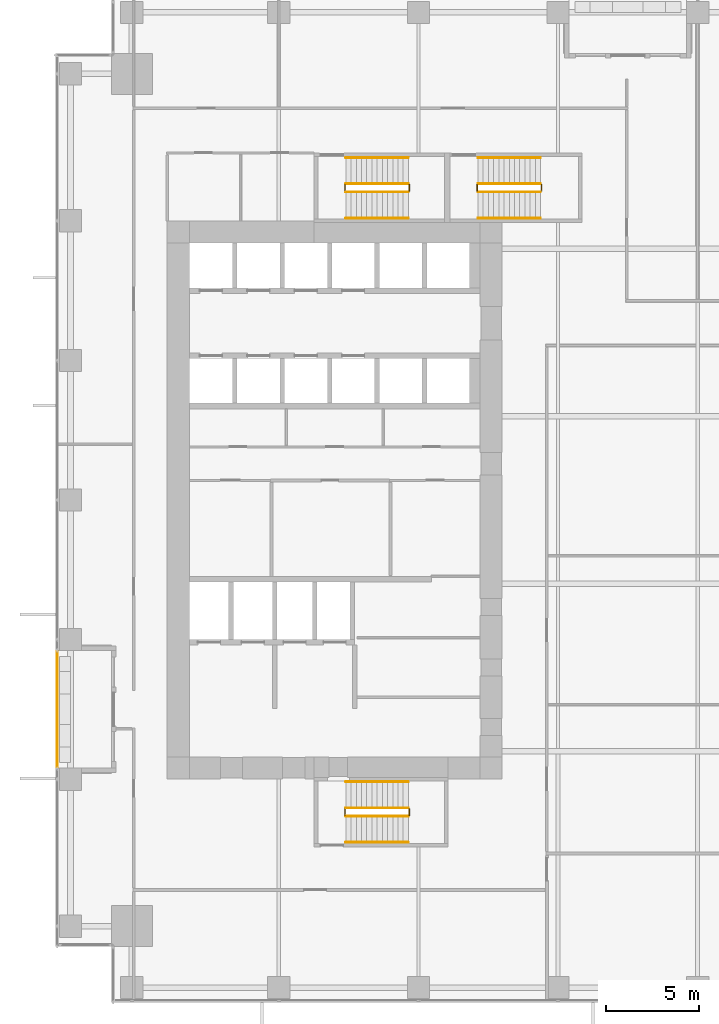
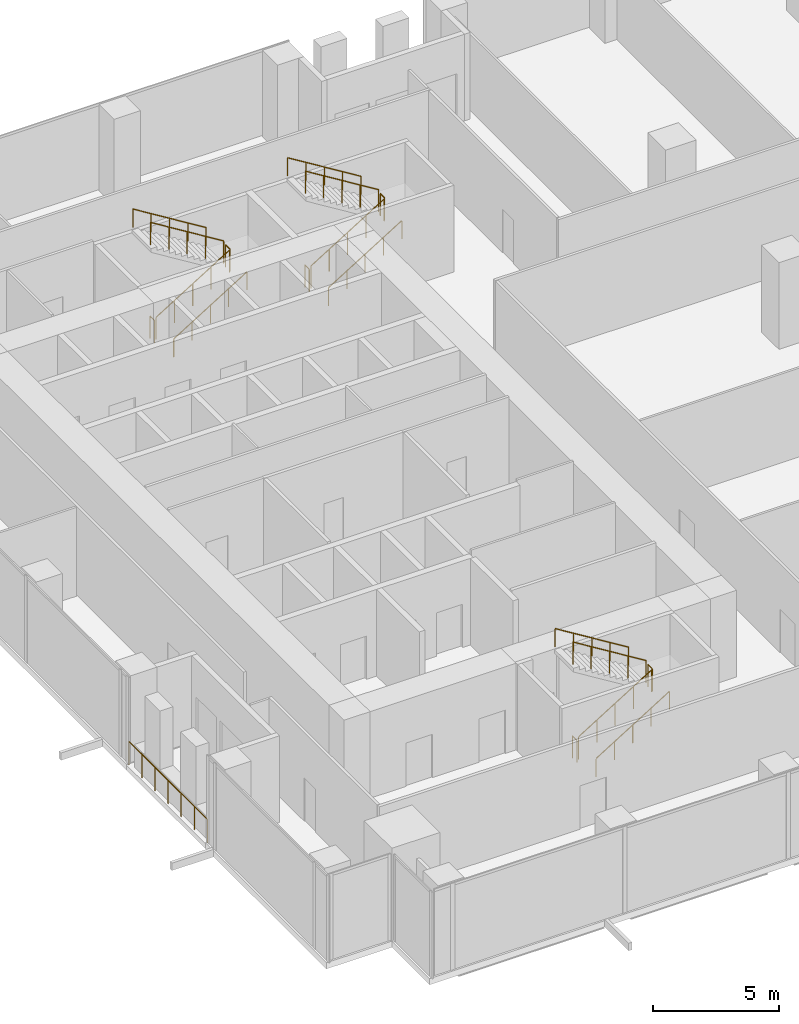
# One storey, part 31 of 33: 19 railings.
"""IFC4 building model written with IfcOpenShell, lengths in metres."""

from ifc_helpers import new_model, si_unit, direction, frame, origin, origin_2d, place, context, subcontext, project, spatial, circle, extrude, source, transform, mapped, material, type_object, element, save


model = new_model("IFC4")

# Units and contexts
model_context = context("Model", 3, precision=1e-05, world=origin(), true_north=direction((0.0, 1.0)))
body_context = subcontext(model_context, "Body", "Model", "MODEL_VIEW")
ifc_project = project(units=[si_unit("LENGTHUNIT", "METRE"), si_unit("AREAUNIT", "SQUARE_METRE"), si_unit("VOLUMEUNIT", "CUBIC_METRE"), si_unit("PLANEANGLEUNIT", "RADIAN"), si_unit("MASSUNIT", "GRAM", prefix="KILO")], contexts=[model_context])

# Site, building, storey
site_placement = place(None, origin())
site = spatial("IfcSite", under=ifc_project, at=site_placement, CompositionType="ELEMENT")
building_placement = place(site_placement, origin())
building = spatial("IfcBuilding", under=site, at=building_placement, Name="Khomas Fold Tower", CompositionType="ELEMENT")
storey_placement = place(building_placement, frame((0.0, 0.0, 55.5)))
storey = spatial("IfcBuildingStorey", under=building, at=storey_placement, Name="L11", CompositionType="ELEMENT", Elevation=55.5)

# Railings
ifc_material_1 = material(Name="Powder-coated steel", Category="steel")
railing_type_1 = type_object("IfcRailingType", Name="Balcony guard", PredefinedType="GUARDRAIL", material=ifc_material_1)
shared_shape_1 = source(origin(), body_context, "Body", "SweptSolid", [
    extrude(circle(Radius=0.02490234375, at=origin_2d()), frame((0.0, 0.0, 1.125), z_axis=(0.0, 1.0, 0.0), x_axis=(-1.0, 0.0, 0.0)), (0.0, 0.0, 1.0), 6.240234375),
    extrude(circle(Radius=0.02001953125, at=origin_2d()), origin(), (0.0, 0.0, 1.0), 1.099853515625),
    extrude(circle(Radius=0.02001953125, at=origin_2d()), frame((0.0, 1.0400390625, 0.0)), (0.0, 0.0, 1.0), 1.099853515625),
    extrude(circle(Radius=0.02001953125, at=origin_2d()), frame((0.0, 2.080078125, 0.0)), (0.0, 0.0, 1.0), 1.099853515625),
    extrude(circle(Radius=0.02001953125, at=origin_2d()), frame((0.0, 3.1201171875, 0.0)), (0.0, 0.0, 1.0), 1.099853515625),
    extrude(circle(Radius=0.02001953125, at=origin_2d()), frame((0.0, 4.16015625, 0.0)), (0.0, 0.0, 1.0), 1.099853515625),
    extrude(circle(Radius=0.02001953125, at=origin_2d()), frame((0.0, 5.2001953125, 0.0)), (0.0, 0.0, 1.0), 1.099853515625),
    extrude(circle(Radius=0.02001953125, at=origin_2d()), frame((0.0, 6.240234375, 0.0)), (0.0, 0.0, 1.0), 1.099853515625),
])
railing_1_placement = place(storey_placement, frame((0.10009765625, 12.6298828125, -0.044921875)))
element("IfcRailing", 1, at=railing_1_placement, inside=storey, type_object=railing_type_1, Name="Balcony guard BAL-L11-W1", PredefinedType="GUARDRAIL", context=body_context, shape_type="MappedRepresentation", body=[
    mapped(shared_shape_1, transform((0.0, 0.0, 0.0))),
])
ifc_material_2 = material(Name="Steel balustrade", Category="steel")
railing_type_2 = type_object("IfcRailingType", Name="Stair guard", PredefinedType="GUARDRAIL", material=ifc_material_2)
shared_shape_2 = source(origin(), body_context, "Body", "SweptSolid", [
    extrude(circle(Radius=0.02392578125, at=origin_2d()), frame((0.0, 0.0, 1.076171875), z_axis=(0.850606129759, 0.0, 0.525803396734), x_axis=(0.0, 1.0, 0.0)), (0.0, 0.0, 1.0), 3.949951171875),
    extrude(circle(Radius=0.02099609375, at=origin_2d()), origin(), (0.0, 0.0, 1.0), 1.052001953125),
    extrude(circle(Radius=0.02099609375, at=origin_2d()), frame((0.83984375, 0.0, 0.519287109375)), (0.0, 0.0, 1.0), 1.052001953125),
    extrude(circle(Radius=0.02099609375, at=origin_2d()), frame((1.679931640625, 0.0, 1.03857421875)), (0.0, 0.0, 1.0), 1.052001953125),
    extrude(circle(Radius=0.02099609375, at=origin_2d()), frame((2.52001953125, 0.0, 1.5576171875)), (0.0, 0.0, 1.0), 1.052001953125),
    extrude(circle(Radius=0.02099609375, at=origin_2d()), frame((3.35986328125, 0.0, 2.076904296875)), (0.0, 0.0, 1.0), 1.052001953125),
])
for number, where, name in (
    (2, (15.60009765625, 43.550048828125, 0.173095703125), "L11 ST1 stair guard 1"),
    (3, (15.60009765625, 10.0, 0.173095703125), "L11 ST2 stair guard 1"),
):
    element("IfcRailing", number, at=place(storey_placement, frame(where)), inside=storey, type_object=railing_type_2, Name=name, PredefinedType="GUARDRAIL", context=body_context, shape_type="MappedRepresentation", body=[
        mapped(shared_shape_2, transform((0.0, 0.0, 0.0))),
    ])
shared_shape_3 = source(origin(), body_context, "Body", "SweptSolid", [
    extrude(circle(Radius=0.02392578125, at=origin_2d()), frame((0.0, 0.0, 1.076171875), z_axis=(0.0, 1.0, 0.0), x_axis=(-1.0, 0.0, 0.0)), (0.0, 0.0, 1.0), 0.349853515625),
    extrude(circle(Radius=0.02099609375, at=origin_2d()), origin(), (0.0, 0.0, 1.0), 1.052001953125),
    extrude(circle(Radius=0.02099609375, at=origin_2d()), frame((0.0, 0.349853515625, 0.0)), (0.0, 0.0, 1.0), 1.052001953125),
])
for number, where, name in (
    (4, (19.010009765625, 43.60009765625, 2.25), "L11 ST1 stair guard 2"),
    (5, (15.550048828125, 43.60009765625, 0.0), "L11 ST1 stair guard 4"),
    (6, (19.010009765625, 10.050048828125, 2.25), "L11 ST2 stair guard 2"),
    (7, (15.550048828125, 10.050048828125, 0.0), "L11 ST2 stair guard 4"),
    (8, (26.110107421875, 43.60009765625, 2.25), "L11 ST3 stair guard 2"),
    (9, (22.64990234375, 43.60009765625, 0.0), "L11 ST3 stair guard 4"),
):
    element("IfcRailing", number, at=place(storey_placement, frame(where)), inside=storey, type_object=railing_type_2, Name=name, PredefinedType="GUARDRAIL", context=body_context, shape_type="MappedRepresentation", body=[
        mapped(shared_shape_3, transform((0.0, 0.0, 0.0))),
    ])
shared_shape_4 = source(origin(), body_context, "Body", "SweptSolid", [
    extrude(circle(Radius=0.02392578125, at=origin_2d()), frame((0.0, 0.0, 1.076171875), z_axis=(-0.850606129759, 0.0, 0.525803396734), x_axis=(0.0, -1.0, 0.0)), (0.0, 0.0, 1.0), 3.949951171875),
    extrude(circle(Radius=0.02099609375, at=origin_2d()), origin(), (0.0, 0.0, 1.0), 1.052001953125),
    extrude(circle(Radius=0.02099609375, at=origin_2d()), frame((-0.83984375, 0.0, 0.519287109375)), (0.0, 0.0, 1.0), 1.052001953125),
    extrude(circle(Radius=0.02099609375, at=origin_2d()), frame((-1.679931640625, 0.0, 1.03857421875)), (0.0, 0.0, 1.0), 1.052001953125),
    extrude(circle(Radius=0.02099609375, at=origin_2d()), frame((-2.52001953125, 0.0, 1.5576171875)), (0.0, 0.0, 1.0), 1.052001953125),
    extrude(circle(Radius=0.02099609375, at=origin_2d()), frame((-3.35986328125, 0.0, 2.076904296875)), (0.0, 0.0, 1.0), 1.052001953125),
])
for number, where, name in (
    (10, (18.9599609375, 44.0, 2.423095703125), "L11 ST1 stair guard 3"),
    (11, (18.9599609375, 10.449951171875, 2.423095703125), "L11 ST2 stair guard 3"),
):
    element("IfcRailing", number, at=place(storey_placement, frame(where)), inside=storey, type_object=railing_type_2, Name=name, PredefinedType="GUARDRAIL", context=body_context, shape_type="MappedRepresentation", body=[
        mapped(shared_shape_4, transform((0.0, 0.0, 0.0))),
    ])
ifc_material_3 = material(Name="Steel handrail", Category="steel")
railing_type_3 = type_object("IfcRailingType", Name="Stair handrail", PredefinedType="HANDRAIL", material=ifc_material_3)
shared_shape_5 = source(origin(), body_context, "Body", "SweptSolid", [
    extrude(circle(Radius=0.02392578125, at=origin_2d()), frame((0.0, 0.0, 0.8759765625), z_axis=(0.850606129759, 0.0, 0.525803396734), x_axis=(0.0, 1.0, 0.0)), (0.0, 0.0, 1.0), 3.949951171875),
    extrude(circle(Radius=0.02099609375, at=origin_2d()), origin(), (0.0, 0.0, 1.0), 0.851806640625),
    extrude(circle(Radius=0.02099609375, at=origin_2d()), frame((0.83984375, 0.0, 0.519287109375)), (0.0, 0.0, 1.0), 0.851806640625),
    extrude(circle(Radius=0.02099609375, at=origin_2d()), frame((1.679931640625, 0.0, 1.03857421875)), (0.0, 0.0, 1.0), 0.851806640625),
    extrude(circle(Radius=0.02099609375, at=origin_2d()), frame((2.52001953125, 0.0, 1.5576171875)), (0.0, 0.0, 1.0), 0.851806640625),
    extrude(circle(Radius=0.02099609375, at=origin_2d()), frame((3.35986328125, 0.0, 2.076904296875)), (0.0, 0.0, 1.0), 0.851806640625),
])
for number, where, name in (
    (12, (15.60009765625, 42.14990234375, 0.173095703125), "L11 ST1 stair handrail 1"),
    (13, (15.60009765625, 8.60009765625, 0.173095703125), "L11 ST2 stair handrail 1"),
):
    element("IfcRailing", number, at=place(storey_placement, frame(where)), inside=storey, type_object=railing_type_3, Name=name, PredefinedType="HANDRAIL", context=body_context, shape_type="MappedRepresentation", body=[
        mapped(shared_shape_5, transform((0.0, 0.0, 0.0))),
    ])
shared_shape_6 = source(origin(), body_context, "Body", "SweptSolid", [
    extrude(circle(Radius=0.02392578125, at=origin_2d()), frame((0.0, 0.0, 0.8759765625), z_axis=(-0.850606129759, 0.0, 0.525803396734), x_axis=(0.0, -1.0, 0.0)), (0.0, 0.0, 1.0), 3.949951171875),
    extrude(circle(Radius=0.02099609375, at=origin_2d()), origin(), (0.0, 0.0, 1.0), 0.851806640625),
    extrude(circle(Radius=0.02099609375, at=origin_2d()), frame((-0.83984375, 0.0, 0.519287109375)), (0.0, 0.0, 1.0), 0.851806640625),
    extrude(circle(Radius=0.02099609375, at=origin_2d()), frame((-1.679931640625, 0.0, 1.03857421875)), (0.0, 0.0, 1.0), 0.851806640625),
    extrude(circle(Radius=0.02099609375, at=origin_2d()), frame((-2.52001953125, 0.0, 1.5576171875)), (0.0, 0.0, 1.0), 0.851806640625),
    extrude(circle(Radius=0.02099609375, at=origin_2d()), frame((-3.35986328125, 0.0, 2.076904296875)), (0.0, 0.0, 1.0), 0.851806640625),
])
for number, where, name in (
    (14, (18.9599609375, 45.39990234375, 2.423095703125), "L11 ST1 stair handrail 2"),
    (15, (18.9599609375, 11.85009765625, 2.423095703125), "L11 ST2 stair handrail 2"),
):
    element("IfcRailing", number, at=place(storey_placement, frame(where)), inside=storey, type_object=railing_type_3, Name=name, PredefinedType="HANDRAIL", context=body_context, shape_type="MappedRepresentation", body=[
        mapped(shared_shape_6, transform((0.0, 0.0, 0.0))),
    ])
shared_shape_7 = source(origin(), body_context, "Body", "SweptSolid", [
    extrude(circle(Radius=0.02392578125, at=origin_2d()), frame((0.0, 0.0, 1.076171875), z_axis=(0.850623216509, 0.0, 0.525775754039), x_axis=(0.0, 1.0, 0.0)), (0.0, 0.0, 1.0), 3.9501953125),
    extrude(circle(Radius=0.02099609375, at=origin_2d()), origin(), (0.0, 0.0, 1.0), 1.052001953125),
    extrude(circle(Radius=0.02099609375, at=origin_2d()), frame((0.840087890625, 0.0, 0.519287109375)), (0.0, 0.0, 1.0), 1.052001953125),
    extrude(circle(Radius=0.02099609375, at=origin_2d()), frame((1.68017578125, 0.0, 1.03857421875)), (0.0, 0.0, 1.0), 1.052001953125),
    extrude(circle(Radius=0.02099609375, at=origin_2d()), frame((2.52001953125, 0.0, 1.5576171875)), (0.0, 0.0, 1.0), 1.052001953125),
    extrude(circle(Radius=0.02099609375, at=origin_2d()), frame((3.360107421875, 0.0, 2.076904296875)), (0.0, 0.0, 1.0), 1.052001953125),
])
railing_2_placement = place(storey_placement, frame((22.699951171875, 43.550048828125, 0.173095703125)))
element("IfcRailing", 16, at=railing_2_placement, inside=storey, type_object=railing_type_2, Name="L11 ST3 stair guard 1", PredefinedType="GUARDRAIL", context=body_context, shape_type="MappedRepresentation", body=[
    mapped(shared_shape_7, transform((0.0, 0.0, 0.0))),
])
shared_shape_8 = source(origin(), body_context, "Body", "SweptSolid", [
    extrude(circle(Radius=0.02392578125, at=origin_2d()), frame((0.0, 0.0, 1.076171875), z_axis=(-0.850623216509, 0.0, 0.525775754039), x_axis=(0.0, -1.0, 0.0)), (0.0, 0.0, 1.0), 3.9501953125),
    extrude(circle(Radius=0.02099609375, at=origin_2d()), origin(), (0.0, 0.0, 1.0), 1.052001953125),
    extrude(circle(Radius=0.02099609375, at=origin_2d()), frame((-0.840087890625, 0.0, 0.519287109375)), (0.0, 0.0, 1.0), 1.052001953125),
    extrude(circle(Radius=0.02099609375, at=origin_2d()), frame((-1.68017578125, 0.0, 1.03857421875)), (0.0, 0.0, 1.0), 1.052001953125),
    extrude(circle(Radius=0.02099609375, at=origin_2d()), frame((-2.52001953125, 0.0, 1.5576171875)), (0.0, 0.0, 1.0), 1.052001953125),
    extrude(circle(Radius=0.02099609375, at=origin_2d()), frame((-3.360107421875, 0.0, 2.076904296875)), (0.0, 0.0, 1.0), 1.052001953125),
])
railing_3_placement = place(storey_placement, frame((26.06005859375, 44.0, 2.423095703125)))
element("IfcRailing", 17, at=railing_3_placement, inside=storey, type_object=railing_type_2, Name="L11 ST3 stair guard 3", PredefinedType="GUARDRAIL", context=body_context, shape_type="MappedRepresentation", body=[
    mapped(shared_shape_8, transform((0.0, 0.0, 0.0))),
])
shared_shape_9 = source(origin(), body_context, "Body", "SweptSolid", [
    extrude(circle(Radius=0.02392578125, at=origin_2d()), frame((0.0, 0.0, 0.8759765625), z_axis=(0.850623216509, 0.0, 0.525775754039), x_axis=(0.0, 1.0, 0.0)), (0.0, 0.0, 1.0), 3.9501953125),
    extrude(circle(Radius=0.02099609375, at=origin_2d()), origin(), (0.0, 0.0, 1.0), 0.851806640625),
    extrude(circle(Radius=0.02099609375, at=origin_2d()), frame((0.840087890625, 0.0, 0.519287109375)), (0.0, 0.0, 1.0), 0.851806640625),
    extrude(circle(Radius=0.02099609375, at=origin_2d()), frame((1.68017578125, 0.0, 1.03857421875)), (0.0, 0.0, 1.0), 0.851806640625),
    extrude(circle(Radius=0.02099609375, at=origin_2d()), frame((2.52001953125, 0.0, 1.5576171875)), (0.0, 0.0, 1.0), 0.851806640625),
    extrude(circle(Radius=0.02099609375, at=origin_2d()), frame((3.360107421875, 0.0, 2.076904296875)), (0.0, 0.0, 1.0), 0.851806640625),
])
railing_4_placement = place(storey_placement, frame((22.699951171875, 42.14990234375, 0.173095703125)))
element("IfcRailing", 18, at=railing_4_placement, inside=storey, type_object=railing_type_3, Name="L11 ST3 stair handrail 1", PredefinedType="HANDRAIL", context=body_context, shape_type="MappedRepresentation", body=[
    mapped(shared_shape_9, transform((0.0, 0.0, 0.0))),
])
shared_shape_10 = source(origin(), body_context, "Body", "SweptSolid", [
    extrude(circle(Radius=0.02392578125, at=origin_2d()), frame((0.0, 0.0, 0.8759765625), z_axis=(-0.850623216509, 0.0, 0.525775754039), x_axis=(0.0, -1.0, 0.0)), (0.0, 0.0, 1.0), 3.9501953125),
    extrude(circle(Radius=0.02099609375, at=origin_2d()), origin(), (0.0, 0.0, 1.0), 0.851806640625),
    extrude(circle(Radius=0.02099609375, at=origin_2d()), frame((-0.840087890625, 0.0, 0.519287109375)), (0.0, 0.0, 1.0), 0.851806640625),
    extrude(circle(Radius=0.02099609375, at=origin_2d()), frame((-1.68017578125, 0.0, 1.03857421875)), (0.0, 0.0, 1.0), 0.851806640625),
    extrude(circle(Radius=0.02099609375, at=origin_2d()), frame((-2.52001953125, 0.0, 1.5576171875)), (0.0, 0.0, 1.0), 0.851806640625),
    extrude(circle(Radius=0.02099609375, at=origin_2d()), frame((-3.360107421875, 0.0, 2.076904296875)), (0.0, 0.0, 1.0), 0.851806640625),
])
railing_5_placement = place(storey_placement, frame((26.06005859375, 45.39990234375, 2.423095703125)))
element("IfcRailing", 19, at=railing_5_placement, inside=storey, type_object=railing_type_3, Name="L11 ST3 stair handrail 2", PredefinedType="HANDRAIL", context=body_context, shape_type="MappedRepresentation", body=[
    mapped(shared_shape_10, transform((0.0, 0.0, 0.0))),
])

save(model, "model.ifc")
